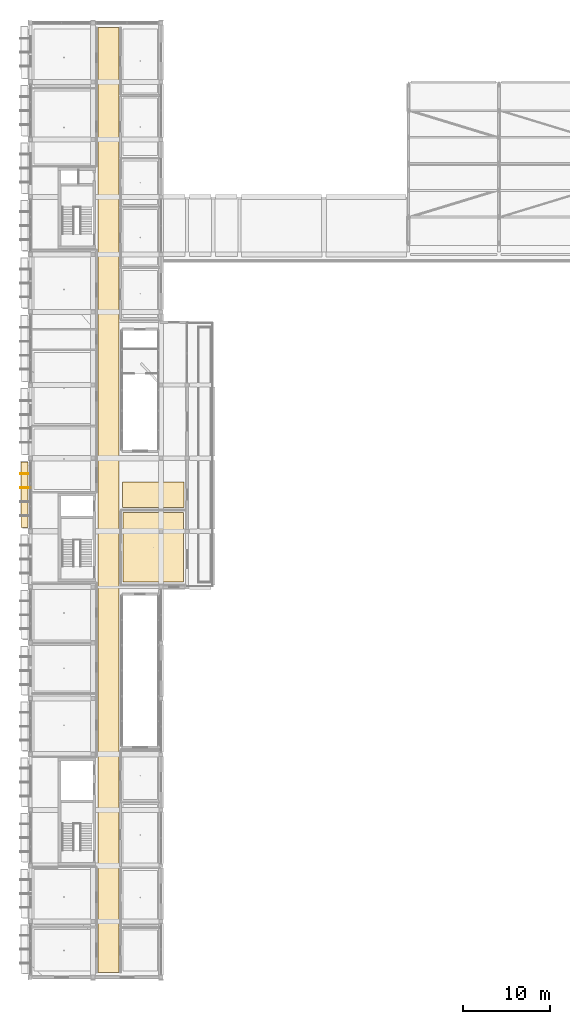
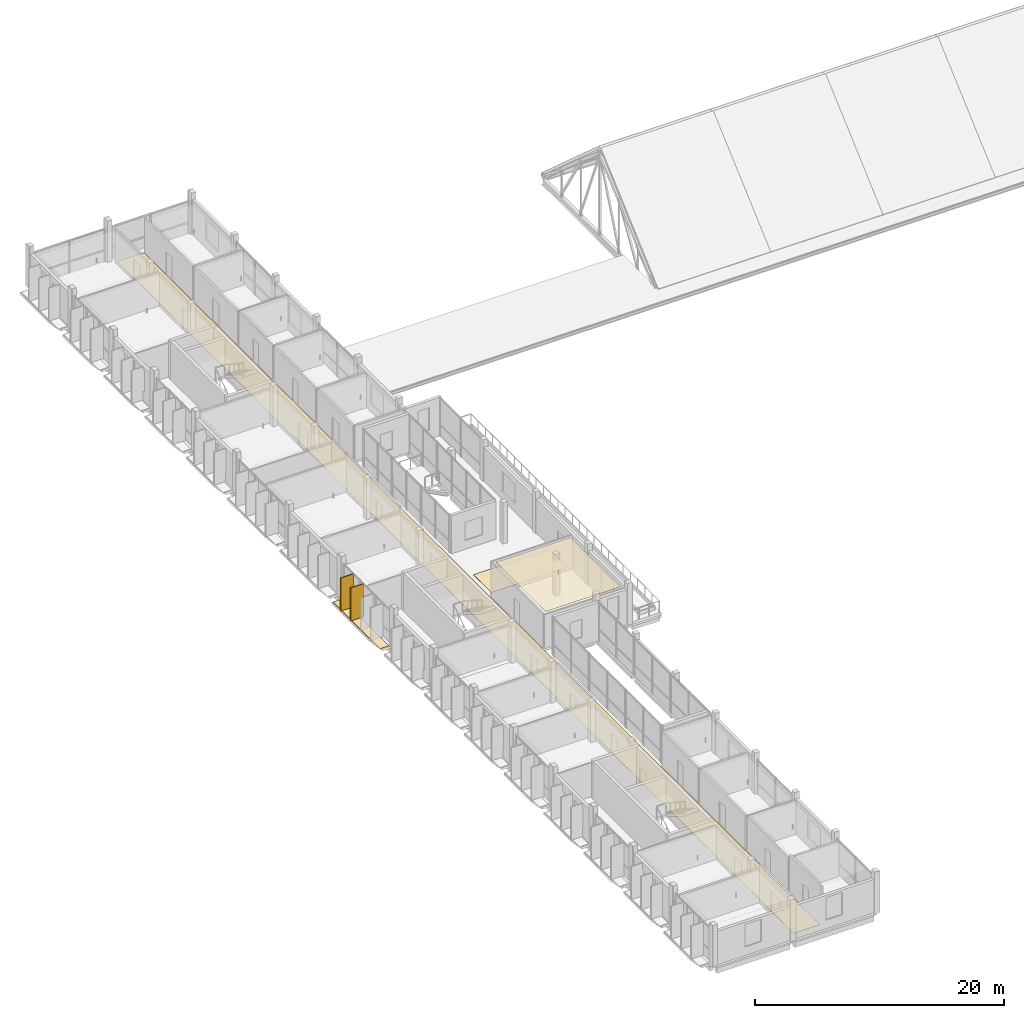
# One storey, part 78 of 86: 6 coverings, 2 shading devices.
"""IFC4 building model written with IfcOpenShell, lengths in metres."""

from ifc_helpers import new_model, si_unit, derived_unit, direction, frame, origin, origin_2d, place, context, subcontext, project, spatial, polyline, rectangle, outline, extrude, material, layer, layer_set, type_object, element, save


model = new_model("IFC4")

# Units and contexts
model_context = context("Model", 3, precision=1e-05, world=origin(), true_north=direction((0.0, 1.0)))
body_context = subcontext(model_context, "Body", "Model", "MODEL_VIEW")
ifc_project = project(units=[si_unit("LENGTHUNIT", "METRE"), si_unit("AREAUNIT", "SQUARE_METRE"), si_unit("VOLUMEUNIT", "CUBIC_METRE"), si_unit("PLANEANGLEUNIT", "RADIAN"), si_unit("MASSUNIT", "GRAM", prefix="KILO"), derived_unit("THERMALTRANSMITTANCEUNIT", [(si_unit("POWERUNIT", "WATT"), 1), (si_unit("LENGTHUNIT", "METRE"), -2), (si_unit("THERMODYNAMICTEMPERATUREUNIT", "KELVIN"), -1)])], contexts=[model_context])

# Site, building, storey
site_placement = place(None, origin())
site = spatial("IfcSite", under=ifc_project, at=site_placement, CompositionType="ELEMENT")
building_placement = place(site_placement, origin())
building = spatial("IfcBuilding", under=site, at=building_placement, Name="Braskholm Square Health Centre", CompositionType="ELEMENT")
storey_placement = place(building_placement, frame((0.0, 0.0, 13.5)))
storey = spatial("IfcBuildingStorey", under=building, at=storey_placement, Name="L04", CompositionType="ELEMENT", Elevation=13.5)

# Covering
ifc_material_1 = material(Name="Fire-rated gypsum board barrier")
ifc_layer_1 = layer(ifc_material_1, 0.02490234375)
ifc_layer_set_1 = layer_set([ifc_layer_1], Name="Fire-rated gypsum board barrier")
covering_type_1 = type_object("IfcCoveringType", Name="AcousticClinicalCeilingTile", PredefinedType="CEILING", material=ifc_layer_set_1)
covering_1_placement = place(storey_placement, frame((0.0, 0.0, 3.31494140625)))
element("IfcCovering", 1, at=covering_1_placement, inside=storey, type_object=covering_type_1, Name="Acoustic ceiling L04-114", PredefinedType="CEILING", context=body_context, shape_type="SweptSolid", body=[
    extrude(outline(polyline([(14.85009765625, 49.580078125), (21.780029296875, 49.580078125), (21.780029296875, 57.550048828125), (14.85009765625, 57.550048828125), (14.85009765625, 49.580078125)])), origin(), (0.0, 0.0, 1.0), 0.025146484375),
])

# Shading devices
ifc_material_2 = material(Name="Thermally modified western red cedar with bronze trim", Category="wood")
shading_device_type = type_object("IfcShadingDeviceType", Name="CedarBronzeShadingFin1250", PredefinedType="USERDEFINED", material=ifc_material_2)
for number, where, z_axis, x_axis, name in (
    (2, (3.635009765625, 60.39990234375, 0.0), (0.0, 0.0, 1.0), (1.0, 0.0, 0.0), "Warm cedar-bronze vertical shading slat 0129"),
    (3, (3.635009765625, 62.0, 0.0), (0.0, 0.0, 1.0), (1.0, 0.0, 0.0), "Warm cedar-bronze vertical shading slat 0130"),
):
    element("IfcShadingDevice", number, at=place(storey_placement, frame(where, z_axis=z_axis, x_axis=x_axis)), inside=storey, type_object=shading_device_type, Name=name, ObjectType="FIN", PredefinedType="USERDEFINED", context=body_context, shape_type="SweptSolid", body=[
        extrude(rectangle(XDim=1.25, YDim=0.0849609375, at=origin_2d()), origin(), (0.0, 0.0, 1.0), 3.25),
    ])

# Coverings
ifc_layer_2 = layer(ifc_material_2, 0.0849609375)
ifc_layer_set_2 = layer_set([ifc_layer_2], Name="Thermally modified western red cedar with bronze trim")
covering_type_2 = type_object("IfcCoveringType", Name="CedarBronzeSlatCladding", PredefinedType="CLADDING", material=ifc_layer_set_2)
for number, where, z_axis, x_axis, name in (
    (4, (3.6298828125, 60.39990234375, 0.0), (0.0, 0.0, 1.0), (1.0, 0.0, 0.0), "Cedar-bronze shading slat trim 0564"),
    (5, (3.6298828125, 62.0, 0.0), (0.0, 0.0, 1.0), (1.0, 0.0, 0.0), "Cedar-bronze shading slat trim 0565"),
):
    element("IfcCovering", number, at=place(storey_placement, frame(where, z_axis=z_axis, x_axis=x_axis)), inside=storey, type_object=covering_type_2, Name=name, PredefinedType="CLADDING", context=body_context, shape_type="SweptSolid", body=[
        extrude(rectangle(XDim=1.179931640625, YDim=0.094970703125, at=origin_2d()), origin(), (0.0, 0.0, 1.0), 3.25),
    ])
ifc_material_3 = material(Name="Intensive botanical sedum and native prairie garden bed")
ifc_layer_3 = layer(ifc_material_3, 0.02490234375)
ifc_layer_set_3 = layer_set([ifc_layer_3], Name="Intensive botanical sedum and native prairie garden bed")
covering_type_3 = type_object("IfcCoveringType", Name="PlantedTerraceGardenBed", PredefinedType="ROOFING", material=ifc_layer_set_3)
covering_2_placement = place(storey_placement, origin())
element("IfcCovering", 6, at=covering_2_placement, inside=storey, type_object=covering_type_3, Name="West floor planter ledge sedum strip 0566", PredefinedType="ROOFING", context=body_context, shape_type="SweptSolid", body=[
    extrude(outline(polyline([(3.1201171875, 55.820068359375), (3.949951171875, 55.820068359375), (3.949951171875, 63.3798828125), (3.1201171875, 63.3798828125), (3.1201171875, 55.820068359375)])), origin(), (0.0, 0.0, 1.0), 0.02490234375),
])
ifc_material_4 = material(Name="Polished geometric terrazzo flooring", Category="masonry")
ifc_layer_4 = layer(ifc_material_4, 0.02001953125)
ifc_layer_set_4 = layer_set([ifc_layer_4], Name="Polished geometric terrazzo flooring")
covering_type_4 = type_object("IfcCoveringType", Name="PolishedTerrazzoFloorFinish", PredefinedType="FLOORING", material=ifc_layer_set_4)
covering_3_placement = place(storey_placement, origin())
element("IfcCovering", 7, at=covering_3_placement, inside=storey, type_object=covering_type_4, Name="Polished terrazzo floor L04-097", PredefinedType="FLOORING", context=body_context, shape_type="SweptSolid", body=[
    extrude(outline(polyline([(11.949951171875, 4.75), (14.39990234375, 4.75), (14.39990234375, 113.25), (11.949951171875, 113.25), (11.949951171875, 4.75)])), origin(), (0.0, 0.0, 1.0), 0.02001953125),
])
covering_4_placement = place(storey_placement, origin())
element("IfcCovering", 8, at=covering_4_placement, inside=storey, type_object=covering_type_4, Name="Polished terrazzo floor L04-109", PredefinedType="FLOORING", context=body_context, shape_type="SweptSolid", body=[
    extrude(outline(polyline([(14.780029296875, 58.14990234375), (21.830078125, 58.14990234375), (21.830078125, 61.050048828125), (14.780029296875, 61.050048828125), (14.780029296875, 58.14990234375)])), origin(), (0.0, 0.0, 1.0), 0.02001953125),
])

save(model, "model.ifc")
